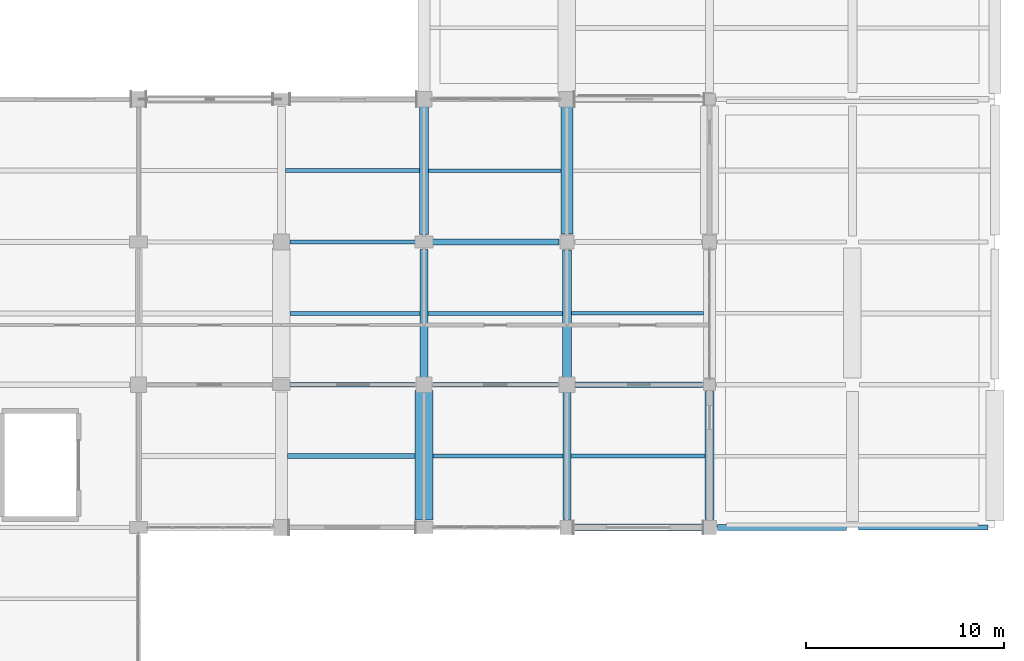
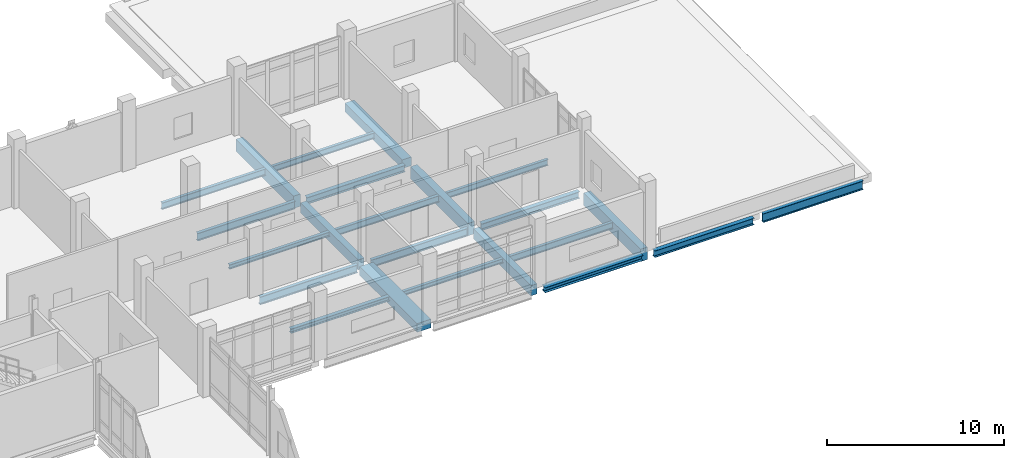
# One storey, part 111 of 186: 23 beams.
"""IFC4 building model written with IfcOpenShell, lengths in metres."""

from ifc_helpers import new_model, si_unit, direction, frame, origin, origin_2d, place, context, subcontext, project, spatial, rectangle, i_section, extrude, material, material_profile, profile_set, type_object, element, save


model = new_model("IFC4")

# Units and contexts
model_context = context("Model", 3, precision=1e-05, world=origin(), true_north=direction((0.0, 1.0)))
body_context = subcontext(model_context, "Body", "Model", "MODEL_VIEW")
ifc_project = project(units=[si_unit("LENGTHUNIT", "METRE"), si_unit("AREAUNIT", "SQUARE_METRE"), si_unit("VOLUMEUNIT", "CUBIC_METRE"), si_unit("PLANEANGLEUNIT", "RADIAN"), si_unit("MASSUNIT", "GRAM", prefix="KILO")], contexts=[model_context])

# Site, building, storey
site_placement = place(None, origin())
site = spatial("IfcSite", under=ifc_project, at=site_placement, CompositionType="ELEMENT")
building_placement = place(site_placement, origin())
building = spatial("IfcBuilding", under=site, at=building_placement, Name="Calvrana Isthmian Art Gallery", CompositionType="ELEMENT")
storey_placement = place(building_placement, frame((0.0, 0.0, 5.39990234375)))
storey = spatial("IfcBuildingStorey", under=building, at=storey_placement, Name="L01", CompositionType="ELEMENT", Elevation=5.39990234375)

# Beams
ifc_material_1 = material(Name="Steel ASTM A992 Gr 50", Category="steel")
ifc_material_profile_1 = material_profile(ifc_material_1, i_section(OverallWidth=0.279052734375, OverallDepth=0.4619140625, WebThickness=0.0107421875, FlangeThickness=0.017333984375, FilletRadius=0.02001953125, at=origin_2d()), Name="W18X76")
ifc_profile_set_1 = profile_set([ifc_material_profile_1], Name="Steel ASTM A992 Gr 50")
beam_type_1 = type_object("IfcBeamType", Name="BM-G-W18X76", PredefinedType="BEAM", material=ifc_profile_set_1)
beam_1_placement = place(storey_placement, frame((149.199951171875, 76.800048828125, -0.535888671875), z_axis=(1.0, 0.0, 0.0), x_axis=(0.0, 1.0, 0.0)))
element("IfcBeam", 1, at=beam_1_placement, inside=storey, type_object=beam_type_1, Name="Girder X L01 20-21/K", PredefinedType="BEAM", context=body_context, shape_type="SweptSolid", body=[
    extrude(i_section(OverallWidth=0.279052734375, OverallDepth=0.4619140625, WebThickness=0.0107421875, FlangeThickness=0.017333984375, FilletRadius=0.02001953125, at=origin_2d()), origin(), (0.0, 0.0, 1.0), 6.5),
])
beam_2_placement = place(storey_placement, frame((142.050048828125, 84.0, -0.535888671875), z_axis=(1.0, 0.0, 0.0), x_axis=(0.0, 1.0, 0.0)))
element("IfcBeam", 2, at=beam_2_placement, inside=storey, type_object=beam_type_1, Name="Girder X L01 19-20/L", PredefinedType="BEAM", context=body_context, shape_type="SweptSolid", body=[
    extrude(i_section(OverallWidth=0.279052734375, OverallDepth=0.4619140625, WebThickness=0.0107421875, FlangeThickness=0.017333984375, FilletRadius=0.02001953125, at=origin_2d()), origin(), (0.0, 0.0, 1.0), 6.39990234375),
])
beam_3_placement = place(storey_placement, frame((134.77490234375, 91.199951171875, -0.535888671875), z_axis=(1.0, 0.0, 0.0), x_axis=(0.0, 1.0, 0.0)))
element("IfcBeam", 3, at=beam_3_placement, inside=storey, type_object=beam_type_1, Name="Girder X L01 18-19/M", PredefinedType="BEAM", context=body_context, shape_type="SweptSolid", body=[
    extrude(i_section(OverallWidth=0.279052734375, OverallDepth=0.4619140625, WebThickness=0.0107421875, FlangeThickness=0.017333984375, FilletRadius=0.02001953125, at=origin_2d()), origin(), (0.0, 0.0, 1.0), 6.425048828125),
])
ifc_material_profile_2 = material_profile(ifc_material_1, i_section(OverallWidth=0.208984375, OverallDepth=0.532958984375, WebThickness=0.01025390625, FlangeThickness=0.015625, FilletRadius=0.02099609375, at=origin_2d()), Name="W21X62")
ifc_profile_set_2 = profile_set([ifc_material_profile_2], Name="Steel ASTM A992 Gr 50")
beam_type_2 = type_object("IfcBeamType", Name="BM-G-W21X62", PredefinedType="BEAM", material=ifc_profile_set_2)
beam_4_placement = place(storey_placement, frame((134.85009765625, 84.0, -0.5712890625), z_axis=(1.0, 0.0, 0.0), x_axis=(0.0, 1.0, 0.0)))
element("IfcBeam", 4, at=beam_4_placement, inside=storey, type_object=beam_type_2, Name="Girder X L01 18-19/L", PredefinedType="BEAM", context=body_context, shape_type="SweptSolid", body=[
    extrude(i_section(OverallWidth=0.208984375, OverallDepth=0.532958984375, WebThickness=0.01025390625, FlangeThickness=0.015625, FilletRadius=0.02099609375, at=origin_2d()), origin(), (0.0, 0.0, 1.0), 6.2998046875),
])
beam_5_placement = place(storey_placement, frame((127.64990234375, 91.199951171875, -0.5712890625), z_axis=(1.0, 0.0, 0.0), x_axis=(0.0, 1.0, 0.0)))
element("IfcBeam", 5, at=beam_5_placement, inside=storey, type_object=beam_type_2, Name="Girder X L01 17-18/M", PredefinedType="BEAM", context=body_context, shape_type="SweptSolid", body=[
    extrude(i_section(OverallWidth=0.208984375, OverallDepth=0.532958984375, WebThickness=0.01025390625, FlangeThickness=0.015625, FilletRadius=0.02099609375, at=origin_2d()), origin(), (0.0, 0.0, 1.0), 6.375),
])
ifc_material_profile_3 = material_profile(ifc_material_1, i_section(OverallWidth=0.214111328125, OverallDepth=0.549072265625, WebThickness=0.0146484375, FlangeThickness=0.023681640625, FilletRadius=0.02099609375, at=origin_2d()), Name="W21X93")
ifc_profile_set_3 = profile_set([ifc_material_profile_3], Name="Steel ASTM A992 Gr 50")
beam_type_3 = type_object("IfcBeamType", Name="BM-G-W21X93", PredefinedType="BEAM", material=ifc_profile_set_3)
beam_6_placement = place(storey_placement, frame((127.574951171875, 84.0, -0.579345703125), z_axis=(1.0, 0.0, 0.0), x_axis=(0.0, 1.0, 0.0)))
element("IfcBeam", 6, at=beam_6_placement, inside=storey, type_object=beam_type_3, Name="Girder X L01 17-18/L", PredefinedType="BEAM", context=body_context, shape_type="SweptSolid", body=[
    extrude(i_section(OverallWidth=0.214111328125, OverallDepth=0.549072265625, WebThickness=0.0146484375, FlangeThickness=0.023681640625, FilletRadius=0.02099609375, at=origin_2d()), origin(), (0.0, 0.0, 1.0), 6.375),
])
ifc_material_profile_4 = material_profile(ifc_material_1, i_section(OverallWidth=0.22802734375, OverallDepth=0.60693359375, WebThickness=0.01123046875, FlangeThickness=0.017333984375, FilletRadius=0.02197265625, at=origin_2d()), Name="W24X76")
ifc_profile_set_4 = profile_set([ifc_material_profile_4], Name="Steel ASTM A992 Gr 50")
beam_type_4 = type_object("IfcBeamType", Name="BM-G-W24X76", PredefinedType="BEAM", material=ifc_profile_set_4)
beam_7_placement = place(storey_placement, frame((156.300048828125, 76.800048828125, -0.54833984375), z_axis=(1.0, 0.0, 0.0), x_axis=(0.0, 1.0, 0.0)))
element("IfcBeam", 7, at=beam_7_placement, inside=storey, type_object=beam_type_4, Name="Girder X L01 21-22/K", PredefinedType="BEAM", context=body_context, shape_type="SweptSolid", body=[
    extrude(i_section(OverallWidth=0.22802734375, OverallDepth=0.60693359375, WebThickness=0.01123046875, FlangeThickness=0.017333984375, FilletRadius=0.02197265625, at=origin_2d()), origin(), (0.0, 0.0, 1.0), 6.550048828125),
])
ifc_material_profile_5 = material_profile(ifc_material_1, i_section(OverallWidth=0.202880859375, OverallDepth=0.302001953125, WebThickness=0.007568359375, FlangeThickness=0.01318359375, FilletRadius=0.01611328125, at=origin_2d()), Name="W12X40")
ifc_profile_set_5 = profile_set([ifc_material_profile_5], Name="Steel ASTM A992 Gr 50")
beam_type_5 = type_object("IfcBeamType", Name="BM-J-W12X40", PredefinedType="JOIST", material=ifc_profile_set_5)
beam_8_placement = place(storey_placement, frame((127.64990234375, 87.60009765625, -0.455810546875), z_axis=(1.0, 0.0, 0.0), x_axis=(0.0, 1.0, 0.0)))
element("IfcBeam", 8, at=beam_8_placement, inside=storey, type_object=beam_type_5, Name="Composite joist L01 bay 16-11", PredefinedType="JOIST", context=body_context, shape_type="SweptSolid", body=[
    extrude(i_section(OverallWidth=0.202880859375, OverallDepth=0.302001953125, WebThickness=0.007568359375, FlangeThickness=0.01318359375, FilletRadius=0.01611328125, at=origin_2d()), origin(), (0.0, 0.0, 1.0), 6.550048828125),
])
beam_9_placement = place(storey_placement, frame((134.85009765625, 80.39990234375, -0.455810546875), z_axis=(1.0, 0.0, 0.0), x_axis=(0.0, 1.0, 0.0)))
element("IfcBeam", 9, at=beam_9_placement, inside=storey, type_object=beam_type_5, Name="Composite joist L01 bay 17-10", PredefinedType="JOIST", context=body_context, shape_type="SweptSolid", body=[
    extrude(i_section(OverallWidth=0.202880859375, OverallDepth=0.302001953125, WebThickness=0.007568359375, FlangeThickness=0.01318359375, FilletRadius=0.01611328125, at=origin_2d()), origin(), (0.0, 0.0, 1.0), 6.5498046875),
])
ifc_material_profile_6 = material_profile(ifc_material_1, i_section(OverallWidth=0.25390625, OverallDepth=0.306884765625, WebThickness=0.0087890625, FlangeThickness=0.0146484375, FilletRadius=0.01611328125, at=origin_2d()), Name="W12X53")
ifc_profile_set_6 = profile_set([ifc_material_profile_6], Name="Steel ASTM A992 Gr 50")
beam_type_6 = type_object("IfcBeamType", Name="BM-J-W12X53", PredefinedType="JOIST", material=ifc_profile_set_6)
beam_10_placement = place(storey_placement, frame((127.5, 80.39990234375, -0.45849609375), z_axis=(1.0, 0.0, 0.0), x_axis=(0.0, 1.0, 0.0)))
element("IfcBeam", 10, at=beam_10_placement, inside=storey, type_object=beam_type_6, Name="Composite joist L01 bay 16-10", PredefinedType="JOIST", context=body_context, shape_type="SweptSolid", body=[
    extrude(i_section(OverallWidth=0.25390625, OverallDepth=0.306884765625, WebThickness=0.0087890625, FlangeThickness=0.0146484375, FilletRadius=0.01611328125, at=origin_2d()), origin(), (0.0, 0.0, 1.0), 6.449951171875),
])
ifc_material_profile_7 = material_profile(ifc_material_1, i_section(OverallWidth=0.179931640625, OverallDepth=0.4140625, WebThickness=0.009765625, FlangeThickness=0.01611328125, FilletRadius=0.01806640625, at=origin_2d()), Name="W16X50")
ifc_profile_set_7 = profile_set([ifc_material_profile_7], Name="Steel ASTM A992 Gr 50")
beam_type_7 = type_object("IfcBeamType", Name="BM-J-W16X50", PredefinedType="JOIST", material=ifc_profile_set_7)
for number, where, z_axis, x_axis, name in (
    (11, (134.625, 94.800048828125, -0.511962890625), (1.0, 0.0, 0.0), (0.0, 1.0, 0.0), "Composite joist L01 bay 17-12"),
    (12, (141.824951171875, 87.60009765625, -0.511962890625), (1.0, 0.0, 0.0), (0.0, 1.0, 0.0), "Composite joist L01 bay 18-11"),
):
    element("IfcBeam", number, at=place(storey_placement, frame(where, z_axis=z_axis, x_axis=x_axis)), inside=storey, type_object=beam_type_7, Name=name, PredefinedType="JOIST", context=body_context, shape_type="SweptSolid", body=[
        extrude(i_section(OverallWidth=0.179931640625, OverallDepth=0.4140625, WebThickness=0.009765625, FlangeThickness=0.01611328125, FilletRadius=0.01806640625, at=origin_2d()), origin(), (0.0, 0.0, 1.0), 6.675048828125),
    ])
ifc_material_profile_8 = material_profile(ifc_material_1, i_section(OverallWidth=0.19091796875, OverallDepth=0.45703125, WebThickness=0.009033203125, FlangeThickness=0.014404296875, FilletRadius=0.02001953125, at=origin_2d()), Name="W18X50")
ifc_profile_set_8 = profile_set([ifc_material_profile_8], Name="Steel ASTM A992 Gr 50")
beam_type_8 = type_object("IfcBeamType", Name="BM-J-W18X50", PredefinedType="JOIST", material=ifc_profile_set_8)
beam_11_placement = place(storey_placement, frame((127.39990234375, 94.800048828125, -0.533447265625), z_axis=(1.0, 0.0, 0.0), x_axis=(0.0, 1.0, 0.0)))
element("IfcBeam", 13, at=beam_11_placement, inside=storey, type_object=beam_type_8, Name="Composite joist L01 bay 16-12", PredefinedType="JOIST", context=body_context, shape_type="SweptSolid", body=[
    extrude(i_section(OverallWidth=0.19091796875, OverallDepth=0.45703125, WebThickness=0.009033203125, FlangeThickness=0.014404296875, FilletRadius=0.02001953125, at=origin_2d()), origin(), (0.0, 0.0, 1.0), 6.775146484375),
])
for number, where, z_axis, x_axis, name in (
    (14, (134.60009765625, 87.60009765625, -0.533447265625), (1.0, 0.0, 0.0), (0.0, 1.0, 0.0), "Composite joist L01 bay 17-11"),
    (15, (141.800048828125, 80.39990234375, -0.533447265625), (1.0, 0.0, 0.0), (0.0, 1.0, 0.0), "Composite joist L01 bay 18-10"),
):
    element("IfcBeam", number, at=place(storey_placement, frame(where, z_axis=z_axis, x_axis=x_axis)), inside=storey, type_object=beam_type_8, Name=name, PredefinedType="JOIST", context=body_context, shape_type="SweptSolid", body=[
        extrude(i_section(OverallWidth=0.19091796875, OverallDepth=0.45703125, WebThickness=0.009033203125, FlangeThickness=0.014404296875, FilletRadius=0.02001953125, at=origin_2d()), origin(), (0.0, 0.0, 1.0), 6.77490234375),
    ])
ifc_material_2 = material(Name="Concrete C40/50", Category="concrete")
ifc_material_profile_9 = material_profile(ifc_material_2, rectangle(XDim=0.39990234375, YDim=0.699951171875, at=origin_2d()), Name="RC400X700")
ifc_profile_set_9 = profile_set([ifc_material_profile_9], Name="Concrete C40/50")
beam_type_9 = type_object("IfcBeamType", Name="BM-RC-400X700", PredefinedType="BEAM", material=ifc_profile_set_9)
beam_12_placement = place(storey_placement, frame((134.39990234375, 84.300048828125, -0.65478515625), z_axis=(0.0, 1.0, 0.0), x_axis=(-1.0, 0.0, 0.0)))
element("IfcBeam", 16, at=beam_12_placement, inside=storey, type_object=beam_type_9, Name="Girder Y L01 18/L-M", PredefinedType="BEAM", context=body_context, shape_type="SweptSolid", body=[
    extrude(rectangle(XDim=0.39990234375, YDim=0.699951171875, at=origin_2d()), origin(), (0.0, 0.0, 1.0), 6.52490234375),
])
beam_13_placement = place(storey_placement, frame((141.60009765625, 77.199951171875, -0.65478515625), z_axis=(0.0, 1.0, 0.0), x_axis=(-1.0, 0.0, 0.0)))
element("IfcBeam", 17, at=beam_13_placement, inside=storey, type_object=beam_type_9, Name="Girder Y L01 19/K-L", PredefinedType="BEAM", context=body_context, shape_type="SweptSolid", body=[
    extrude(rectangle(XDim=0.39990234375, YDim=0.699951171875, at=origin_2d()), origin(), (0.0, 0.0, 1.0), 6.5),
])
ifc_material_profile_10 = material_profile(ifc_material_2, rectangle(XDim=0.449951171875, YDim=0.85009765625, at=origin_2d()), Name="RC450X850")
ifc_profile_set_10 = profile_set([ifc_material_profile_10], Name="Concrete C40/50")
beam_type_10 = type_object("IfcBeamType", Name="BM-RC-450X850", PredefinedType="BEAM", material=ifc_profile_set_10)
beam_14_placement = place(storey_placement, frame((134.39990234375, 91.574951171875, -0.72998046875), z_axis=(0.0, 1.0, 0.0), x_axis=(-1.0, 0.0, 0.0)))
element("IfcBeam", 18, at=beam_14_placement, inside=storey, type_object=beam_type_10, Name="Girder Y L01 18/M-N", PredefinedType="BEAM", context=body_context, shape_type="SweptSolid", body=[
    extrude(rectangle(XDim=0.449951171875, YDim=0.85009765625, at=origin_2d()), origin(), (0.0, 0.0, 1.0), 6.525146484375),
])
beam_15_placement = place(storey_placement, frame((141.60009765625, 84.300048828125, -0.72998046875), z_axis=(0.0, 1.0, 0.0), x_axis=(-1.0, 0.0, 0.0)))
element("IfcBeam", 19, at=beam_15_placement, inside=storey, type_object=beam_type_10, Name="Girder Y L01 19/L-M", PredefinedType="BEAM", context=body_context, shape_type="SweptSolid", body=[
    extrude(rectangle(XDim=0.449951171875, YDim=0.85009765625, at=origin_2d()), origin(), (0.0, 0.0, 1.0), 6.5),
])
beam_16_placement = place(storey_placement, frame((148.800048828125, 77.199951171875, -0.72998046875), z_axis=(0.0, 1.0, 0.0), x_axis=(-1.0, 0.0, 0.0)))
element("IfcBeam", 20, at=beam_16_placement, inside=storey, type_object=beam_type_10, Name="Girder Y L01 20/K-L", PredefinedType="BEAM", context=body_context, shape_type="SweptSolid", body=[
    extrude(rectangle(XDim=0.449951171875, YDim=0.85009765625, at=origin_2d()), origin(), (0.0, 0.0, 1.0), 6.449951171875),
])
ifc_material_profile_11 = material_profile(ifc_material_2, rectangle(XDim=0.60009765625, YDim=0.60009765625, at=origin_2d()), Name="RC600X600")
ifc_profile_set_11 = profile_set([ifc_material_profile_11], Name="Concrete C40/50")
beam_type_11 = type_object("IfcBeamType", Name="BM-RC-600X600", PredefinedType="BEAM", material=ifc_profile_set_11)
beam_17_placement = place(storey_placement, frame((141.60009765625, 91.60009765625, -0.60498046875), z_axis=(0.0, 1.0, 0.0), x_axis=(-1.0, 0.0, 0.0)))
element("IfcBeam", 21, at=beam_17_placement, inside=storey, type_object=beam_type_11, Name="Girder Y L01 19/M-N", PredefinedType="BEAM", context=body_context, shape_type="SweptSolid", body=[
    extrude(rectangle(XDim=0.60009765625, YDim=0.60009765625, at=origin_2d()), origin(), (0.0, 0.0, 1.0), 6.5),
])
ifc_material_profile_12 = material_profile(ifc_material_2, rectangle(XDim=0.89990234375, YDim=0.60009765625, at=origin_2d()), Name="RC900X600")
ifc_profile_set_12 = profile_set([ifc_material_profile_12], Name="Concrete C40/50")
beam_type_12 = type_object("IfcBeamType", Name="BM-RC-900X600", PredefinedType="BEAM", material=ifc_profile_set_12)
beam_18_placement = place(storey_placement, frame((134.39990234375, 77.175048828125, -0.60498046875), z_axis=(0.0, 1.0, 0.0), x_axis=(-1.0, 0.0, 0.0)))
element("IfcBeam", 22, at=beam_18_placement, inside=storey, type_object=beam_type_12, Name="Girder Y L01 18/K-L", PredefinedType="BEAM", context=body_context, shape_type="SweptSolid", body=[
    extrude(rectangle(XDim=0.89990234375, YDim=0.60009765625, at=origin_2d()), origin(), (0.0, 0.0, 1.0), 6.52490234375),
])
ifc_material_profile_13 = material_profile(ifc_material_1, i_section(OverallWidth=0.367919921875, OverallDepth=0.35595703125, WebThickness=0.01123046875, FlangeThickness=0.01806640625, FilletRadius=0.02490234375, at=origin_2d()), Name="W14X90")
ifc_profile_set_13 = profile_set([ifc_material_profile_13], Name="Steel ASTM A992 Gr 50")
beam_type_13 = type_object("IfcBeamType", Name="BM-SP-W14X90", PredefinedType="SPANDREL", material=ifc_profile_set_13)
beam_19_placement = place(storey_placement, frame((142.0, 76.800048828125, -0.48291015625), z_axis=(1.0, 0.0, 0.0), x_axis=(0.0, 1.0, 0.0)))
element("IfcBeam", 23, at=beam_19_placement, inside=storey, type_object=beam_type_13, Name="Girder X L01 19-20/K", PredefinedType="SPANDREL", context=body_context, shape_type="SweptSolid", body=[
    extrude(i_section(OverallWidth=0.367919921875, OverallDepth=0.35595703125, WebThickness=0.01123046875, FlangeThickness=0.01806640625, FilletRadius=0.02490234375, at=origin_2d()), origin(), (0.0, 0.0, 1.0), 6.39990234375),
])

save(model, "model.ifc")
